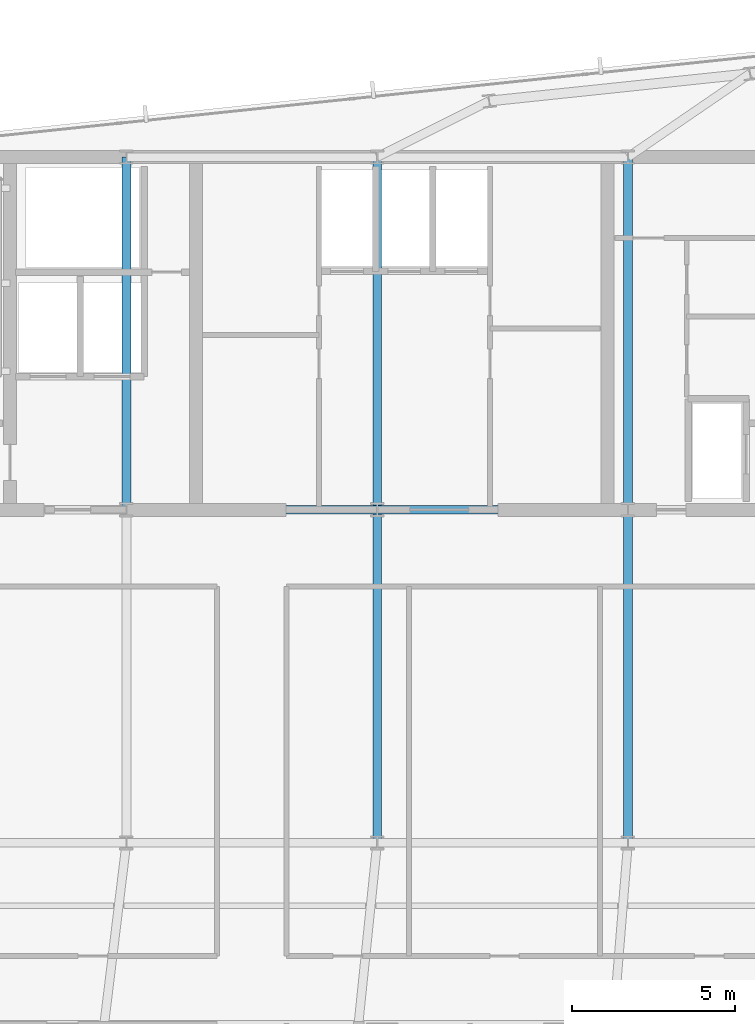
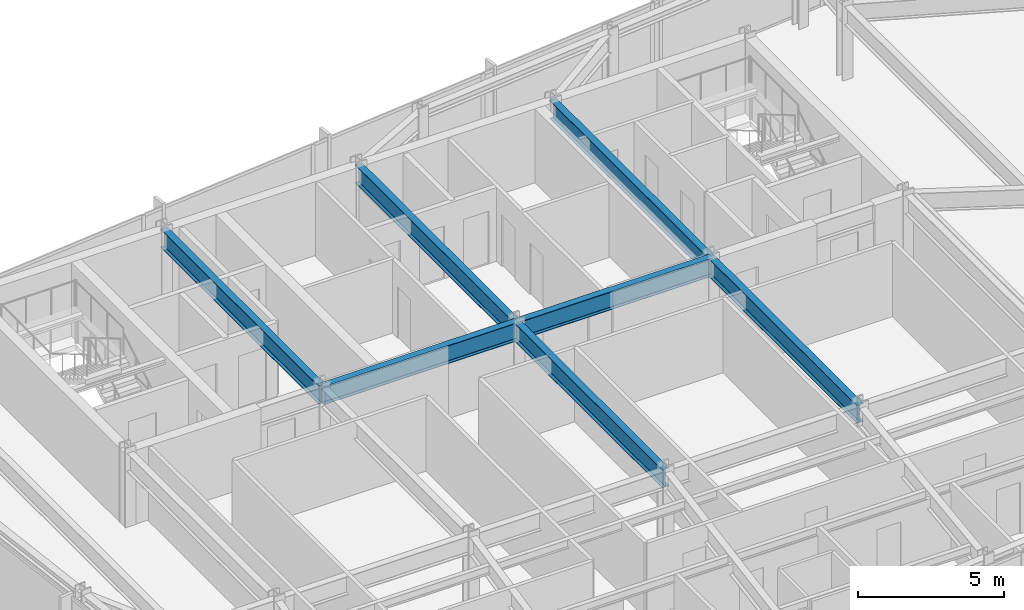
# One storey, part 13 of 32: 7 beams.
"""IFC4 building model written with IfcOpenShell, lengths in metres."""

from ifc_helpers import new_model, si_unit, direction, frame, origin, origin_2d, place, context, subcontext, project, spatial, i_section, extrude, material, material_profile, profile_set, type_object, element, save


model = new_model("IFC4")

# Units and contexts
model_context = context("Model", 3, precision=1e-05, world=origin(), true_north=direction((0.0, 1.0)))
body_context = subcontext(model_context, "Body", "Model", "MODEL_VIEW")
ifc_project = project(units=[si_unit("LENGTHUNIT", "METRE"), si_unit("AREAUNIT", "SQUARE_METRE"), si_unit("VOLUMEUNIT", "CUBIC_METRE"), si_unit("PLANEANGLEUNIT", "RADIAN"), si_unit("MASSUNIT", "GRAM", prefix="KILO")], contexts=[model_context])

# Site, building, storey
site_placement = place(None, origin())
site = spatial("IfcSite", under=ifc_project, at=site_placement, CompositionType="ELEMENT")
building_placement = place(site_placement, origin())
building = spatial("IfcBuilding", under=site, at=building_placement, Name="Yelkora Congress Tower", CompositionType="ELEMENT")
storey_placement = place(building_placement, frame((0.0, 0.0, 217.699951171875)))
storey = spatial("IfcBuildingStorey", under=building, at=storey_placement, Name="L60", CompositionType="ELEMENT", Elevation=217.699951171875)

# Beams
ifc_material = material(Name="Steel S355J2", Category="steel")
ifc_material_profile = material_profile(ifc_material, i_section(OverallWidth=0.26708984375, OverallDepth=0.761962890625, WebThickness=0.014404296875, FlangeThickness=0.021484375, FilletRadius=0.01708984375, at=origin_2d()), Name="IPE 750x173")
ifc_profile_set = profile_set([ifc_material_profile], Name="Steel S355J2")
beam_type = type_object("IfcBeamType", Name="BM-GIRD-IPE750", PredefinedType="BEAM", material=ifc_profile_set)
beam_1_placement = place(storey_placement, frame((30.719970703125, 35.39990234375, 2.698974609375), z_axis=(1.0, 0.0, 0.0), x_axis=(0.0, 1.0, 0.0)))
element("IfcBeam", 1, at=beam_1_placement, inside=storey, type_object=beam_type, Name="L60 Core South Girder 2", PredefinedType="BEAM", context=body_context, shape_type="SweptSolid", body=[
    extrude(i_section(OverallWidth=0.26708984375, OverallDepth=0.761962890625, WebThickness=0.014404296875, FlangeThickness=0.021484375, FilletRadius=0.01708984375, at=origin_2d()), origin(), (0.0, 0.0, 1.0), 7.679931640625),
])
beam_2_placement = place(storey_placement, frame((38.39990234375, 35.39990234375, 2.698974609375), z_axis=(1.0, 0.0, 0.0), x_axis=(0.0, 1.0, 0.0)))
element("IfcBeam", 2, at=beam_2_placement, inside=storey, type_object=beam_type, Name="L60 Core South Girder 3", PredefinedType="BEAM", context=body_context, shape_type="SweptSolid", body=[
    extrude(i_section(OverallWidth=0.26708984375, OverallDepth=0.761962890625, WebThickness=0.014404296875, FlangeThickness=0.021484375, FilletRadius=0.01708984375, at=origin_2d()), origin(), (0.0, 0.0, 1.0), 7.68017578125),
])
beam_3_placement = place(storey_placement, frame((30.719970703125, 35.39990234375, 2.698974609375), z_axis=(0.0, 1.0, 0.0), x_axis=(-1.0, 0.0, 0.0)))
element("IfcBeam", 3, at=beam_3_placement, inside=storey, type_object=beam_type, Name="L60 Core Tie Girder MC-S2", PredefinedType="BEAM", context=body_context, shape_type="SweptSolid", body=[
    extrude(i_section(OverallWidth=0.26708984375, OverallDepth=0.761962890625, WebThickness=0.014404296875, FlangeThickness=0.021484375, FilletRadius=0.01708984375, at=origin_2d()), origin(), (0.0, 0.0, 1.0), 10.800048828125),
])
beam_4_placement = place(storey_placement, frame((38.39990234375, 25.199951171875, 2.698974609375), z_axis=(0.0, 1.0, 0.0), x_axis=(-1.0, 0.0, 0.0)))
element("IfcBeam", 4, at=beam_4_placement, inside=storey, type_object=beam_type, Name="L60 Core Tie Girder MC-D3", PredefinedType="BEAM", context=body_context, shape_type="SweptSolid", body=[
    extrude(i_section(OverallWidth=0.26708984375, OverallDepth=0.761962890625, WebThickness=0.014404296875, FlangeThickness=0.021484375, FilletRadius=0.01708984375, at=origin_2d()), origin(), (0.0, 0.0, 1.0), 10.199951171875),
])
beam_5_placement = place(storey_placement, frame((38.39990234375, 35.39990234375, 2.698974609375), z_axis=(0.0, 1.0, 0.0), x_axis=(-1.0, 0.0, 0.0)))
element("IfcBeam", 5, at=beam_5_placement, inside=storey, type_object=beam_type, Name="L60 Core Tie Girder MC-S3", PredefinedType="BEAM", context=body_context, shape_type="SweptSolid", body=[
    extrude(i_section(OverallWidth=0.26708984375, OverallDepth=0.761962890625, WebThickness=0.014404296875, FlangeThickness=0.021484375, FilletRadius=0.01708984375, at=origin_2d()), origin(), (0.0, 0.0, 1.0), 10.800048828125),
])
beam_6_placement = place(storey_placement, frame((46.080078125, 25.199951171875, 2.698974609375), z_axis=(0.0, 1.0, 0.0), x_axis=(-1.0, 0.0, 0.0)))
element("IfcBeam", 6, at=beam_6_placement, inside=storey, type_object=beam_type, Name="L60 Core Tie Girder MC-D4", PredefinedType="BEAM", context=body_context, shape_type="SweptSolid", body=[
    extrude(i_section(OverallWidth=0.26708984375, OverallDepth=0.761962890625, WebThickness=0.014404296875, FlangeThickness=0.021484375, FilletRadius=0.01708984375, at=origin_2d()), origin(), (0.0, 0.0, 1.0), 10.199951171875),
])
beam_7_placement = place(storey_placement, frame((46.080078125, 35.39990234375, 2.698974609375), z_axis=(0.0, 1.0, 0.0), x_axis=(-1.0, 0.0, 0.0)))
element("IfcBeam", 7, at=beam_7_placement, inside=storey, type_object=beam_type, Name="L60 Core Tie Girder MC-S4", PredefinedType="BEAM", context=body_context, shape_type="SweptSolid", body=[
    extrude(i_section(OverallWidth=0.26708984375, OverallDepth=0.761962890625, WebThickness=0.014404296875, FlangeThickness=0.021484375, FilletRadius=0.01708984375, at=origin_2d()), origin(), (0.0, 0.0, 1.0), 10.800048828125),
])

save(model, "model.ifc")
